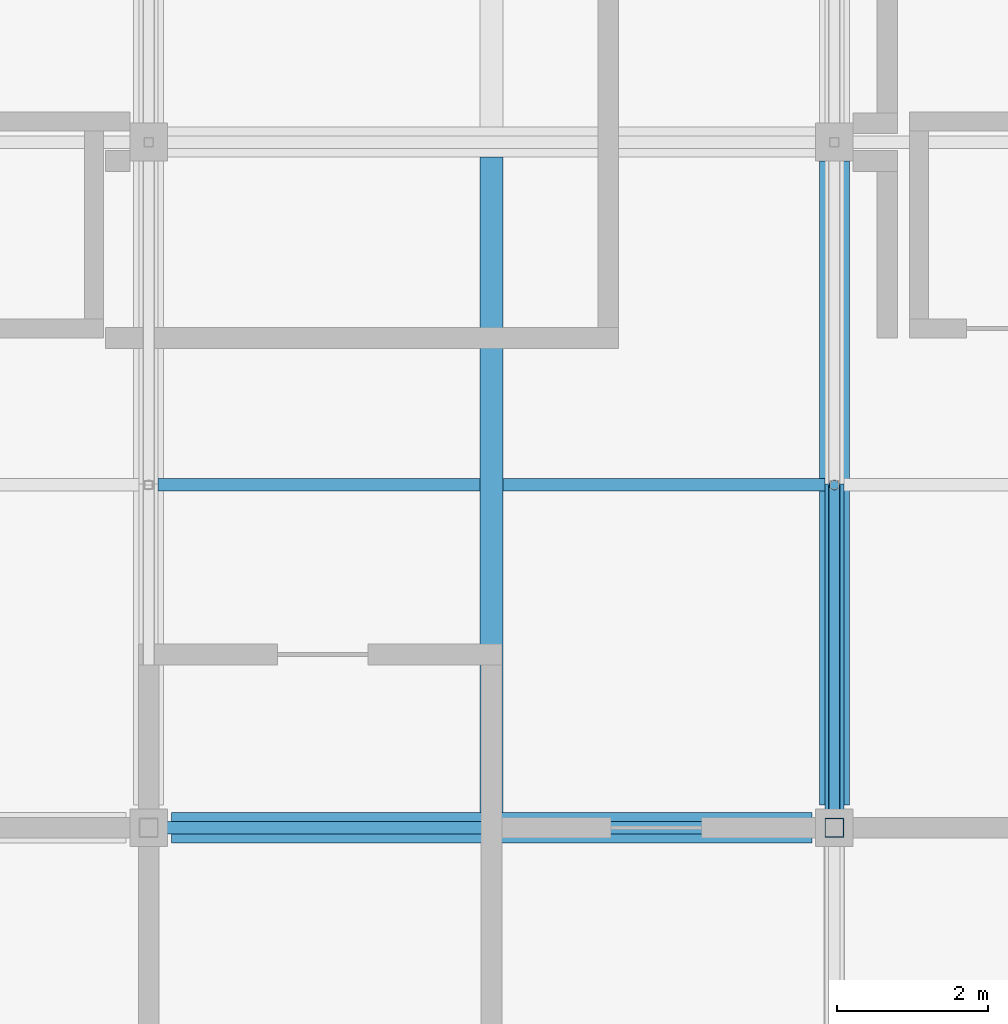
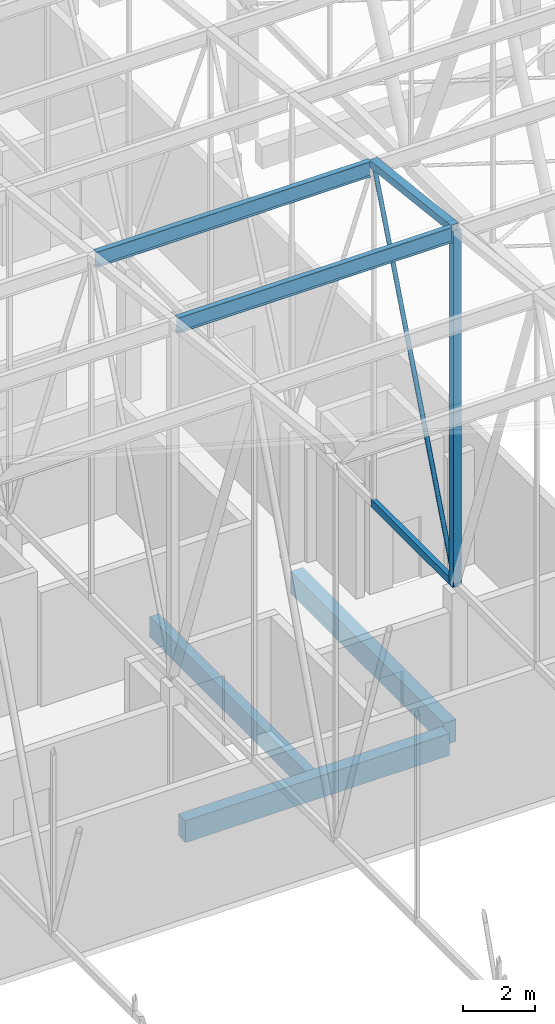
# One storey, part 209 of 500: 6 members, 3 beams.
"""IFC4 building model written with IfcOpenShell, lengths in metres."""

from ifc_helpers import new_model, si_unit, direction, frame, origin, origin_2d, place, context, subcontext, project, spatial, rectangle, hollow_rectangle, hollow_circle, i_section, extrude, material, material_profile, profile_set, type_object, element, save


model = new_model("IFC4")

# Units and contexts
model_context = context("Model", 3, precision=1e-05, world=origin(), true_north=direction((0.0, 1.0)))
body_context = subcontext(model_context, "Body", "Model", "MODEL_VIEW")
ifc_project = project(units=[si_unit("LENGTHUNIT", "METRE"), si_unit("AREAUNIT", "SQUARE_METRE"), si_unit("VOLUMEUNIT", "CUBIC_METRE"), si_unit("PLANEANGLEUNIT", "RADIAN"), si_unit("MASSUNIT", "GRAM", prefix="KILO")], contexts=[model_context])

# Site, building, storey
site_placement = place(None, origin())
site = spatial("IfcSite", under=ifc_project, at=site_placement, CompositionType="ELEMENT")
building_placement = place(site_placement, origin())
building = spatial("IfcBuilding", under=site, at=building_placement, Name="Shirokan Park Arena", CompositionType="ELEMENT")
storey_placement = place(building_placement, frame((0.0, 0.0, 29.1201171875)))
storey = spatial("IfcBuildingStorey", under=building, at=storey_placement, Name="L06", CompositionType="ELEMENT", Elevation=29.1201171875)

# Members
ifc_material_1 = material(Name="Steel ASTM A500 Grade C", Category="steel")
ifc_material_profile_1 = material_profile(ifc_material_1, hollow_rectangle(XDim=0.152099609375, YDim=0.25390625, WallThickness=0.009521484375, at=origin_2d()), Name="HSS254X152.4X9.5")
ifc_profile_set_1 = profile_set([ifc_material_profile_1], Name="Steel ASTM A500 Grade C")
member_type_1 = type_object("IfcMemberType", Name="Bottom chord HSS254X152.4X9.5", PredefinedType="CHORD", material=ifc_profile_set_1)
member_1_placement = place(storey_placement, frame((36.39990234375, 72.800048828125, 4.677001953125), z_axis=(0.0, 1.0, 0.0), x_axis=(-1.0, 0.0, 0.0)))
element("IfcMember", 1, at=member_1_placement, inside=storey, type_object=member_type_1, Name="Truss T05 bottom chord 19", PredefinedType="CHORD", context=body_context, shape_type="SweptSolid", body=[
    extrude(hollow_rectangle(XDim=0.152099609375, YDim=0.25390625, WallThickness=0.009521484375, at=origin_2d()), origin(), (0.0, 0.0, 1.0), 4.550048828125),
])
ifc_material_2 = material(Name="Steel ASTM A992", Category="steel")
ifc_material_profile_2 = material_profile(ifc_material_2, i_section(OverallWidth=0.166015625, OverallDepth=0.528076171875, WebThickness=0.009765625, FlangeThickness=0.013671875, at=origin_2d()), Name="W530X74")
ifc_profile_set_2 = profile_set([ifc_material_profile_2], Name="Steel ASTM A992")
member_type_2 = type_object("IfcMemberType", Name="Purlin W530X74", PredefinedType="PURLIN", material=ifc_profile_set_2)
for number, where, z_axis, x_axis, name in (
    (2, (27.427001953125, 72.800048828125, 16.64599609375), (1.0, 0.0, 0.0), (0.0, 1.0, 0.0), "Purlin 19 bay 4"),
    (3, (27.427001953125, 77.35009765625, 16.1259765625), (1.0, 0.0, 0.0), (0.0, 1.0, 0.0), "Purlin 20 bay 4"),
):
    element("IfcMember", number, at=place(storey_placement, frame(where, z_axis=z_axis, x_axis=x_axis)), inside=storey, type_object=member_type_2, Name=name, PredefinedType="PURLIN", context=body_context, shape_type="SweptSolid", body=[
        extrude(i_section(OverallWidth=0.166015625, OverallDepth=0.528076171875, WebThickness=0.009765625, FlangeThickness=0.013671875, at=origin_2d()), origin(), (0.0, 0.0, 1.0), 8.845947265625),
    ])

# Beams
ifc_material_3 = material(Name="Concrete C35", Category="concrete")
ifc_material_profile_3 = material_profile(ifc_material_3, rectangle(XDim=0.39990234375, YDim=0.75, at=origin_2d()), Name="400x750")
ifc_profile_set_3 = profile_set([ifc_material_profile_3], Name="Concrete C35")
beam_type_1 = type_object("IfcBeamType", Name="RC girder 400x750", PredefinedType="BEAM", material=ifc_profile_set_3)
beam_1_placement = place(storey_placement, frame((27.60009765625, 72.800048828125, -0.5751953125), z_axis=(1.0, 0.0, 0.0), x_axis=(0.0, 1.0, 0.0)))
element("IfcBeam", 4, at=beam_1_placement, inside=storey, type_object=beam_type_1, Name="Girder 4J-5J L06", PredefinedType="BEAM", context=body_context, shape_type="SweptSolid", body=[
    extrude(rectangle(XDim=0.39990234375, YDim=0.75, at=origin_2d()), origin(), (0.0, 0.0, 1.0), 8.499755859375),
])
beam_2_placement = place(storey_placement, frame((36.39990234375, 73.10009765625, -0.5751953125), z_axis=(0.0, 1.0, 0.0), x_axis=(-1.0, 0.0, 0.0)))
element("IfcBeam", 5, at=beam_2_placement, inside=storey, type_object=beam_type_1, Name="Girder 5J-5K L06", PredefinedType="BEAM", context=body_context, shape_type="SweptSolid", body=[
    extrude(rectangle(XDim=0.39990234375, YDim=0.75, at=origin_2d()), origin(), (0.0, 0.0, 1.0), 8.5498046875),
])
ifc_material_profile_4 = material_profile(ifc_material_3, rectangle(XDim=0.300048828125, YDim=0.699951171875, at=origin_2d()), Name="300x700")
ifc_profile_set_4 = profile_set([ifc_material_profile_4], Name="Concrete C35")
beam_type_2 = type_object("IfcBeamType", Name="RC joist 300x700", PredefinedType="JOIST", material=ifc_profile_set_4)
beam_3_placement = place(storey_placement, frame((31.85009765625, 73.0, -0.550048828125), z_axis=(0.0, 1.0, 0.0), x_axis=(-1.0, 0.0, 0.0)))
element("IfcBeam", 6, at=beam_3_placement, inside=storey, type_object=beam_type_2, Name="Joist 5J L06", PredefinedType="JOIST", context=body_context, shape_type="SweptSolid", body=[
    extrude(rectangle(XDim=0.300048828125, YDim=0.699951171875, at=origin_2d()), origin(), (0.0, 0.0, 1.0), 8.699951171875),
])

# Members
ifc_material_profile_5 = material_profile(ifc_material_1, hollow_rectangle(XDim=0.25390625, YDim=0.25390625, WallThickness=0.009521484375, at=origin_2d()), Name="HSS254X254X9.5")
ifc_profile_set_5 = profile_set([ifc_material_profile_5], Name="Steel ASTM A500 Grade C")
member_type_3 = type_object("IfcMemberType", Name="Top chord HSS254X254X9.5", PredefinedType="CHORD", material=ifc_profile_set_5)
member_2_placement = place(storey_placement, frame((36.39990234375, 72.800048828125, 16.782958984375), z_axis=(0.0, 0.993532328996, -0.113549598152), x_axis=(-1.0, 0.0, 0.0)))
element("IfcMember", 7, at=member_2_placement, inside=storey, type_object=member_type_3, Name="Truss T05 top chord 19", PredefinedType="CHORD", context=body_context, shape_type="SweptSolid", body=[
    extrude(hollow_rectangle(XDim=0.25390625, YDim=0.25390625, WallThickness=0.009521484375, at=origin_2d()), origin(), (0.0, 0.0, 1.0), 4.57958984375),
])
ifc_material_profile_6 = material_profile(ifc_material_1, hollow_circle(Radius=0.070556640625, WallThickness=0.006591796875, at=origin_2d()), Name="HSS141.3X6.6")
ifc_profile_set_6 = profile_set([ifc_material_profile_6], Name="Steel ASTM A500 Grade C")
member_type_4 = type_object("IfcMemberType", Name="Truss diagonal HSS141.3X6.6", PredefinedType="BRACE", material=ifc_profile_set_6)
member_3_placement = place(storey_placement, frame((36.39990234375, 72.800048828125, 4.677001953125), z_axis=(0.0, 0.365543139237, 0.930794399079), x_axis=(-1.0, 0.0, 0.0)))
element("IfcMember", 8, at=member_3_placement, inside=storey, type_object=member_type_4, Name="Truss T05 diagonal 19", PredefinedType="BRACE", context=body_context, shape_type="SweptSolid", body=[
    extrude(hollow_circle(Radius=0.070556640625, WallThickness=0.006591796875, at=origin_2d()), origin(), (0.0, 0.0, 1.0), 12.447265625),
])
ifc_material_profile_7 = material_profile(ifc_material_1, hollow_rectangle(XDim=0.25390625, YDim=0.25390625, WallThickness=0.009521484375, at=origin_2d()), Name="HSS254X254X9.5")
ifc_profile_set_7 = profile_set([ifc_material_profile_7], Name="Steel ASTM A500 Grade C")
member_type_5 = type_object("IfcMemberType", Name="Truss post HSS254X254X9.5", PredefinedType="POST", material=ifc_profile_set_7)
member_4_placement = place(storey_placement, frame((36.39990234375, 72.800048828125, 4.677001953125), z_axis=(0.0, 0.0, 1.0), x_axis=(1.0, 0.0, 0.0)))
element("IfcMember", 9, at=member_4_placement, inside=storey, type_object=member_type_5, Name="Truss T05 post 19", PredefinedType="POST", context=body_context, shape_type="SweptSolid", body=[
    extrude(hollow_rectangle(XDim=0.25390625, YDim=0.25390625, WallThickness=0.009521484375, at=origin_2d()), origin(), (0.0, 0.0, 1.0), 12.10595703125),
])

save(model, "model.ifc")
